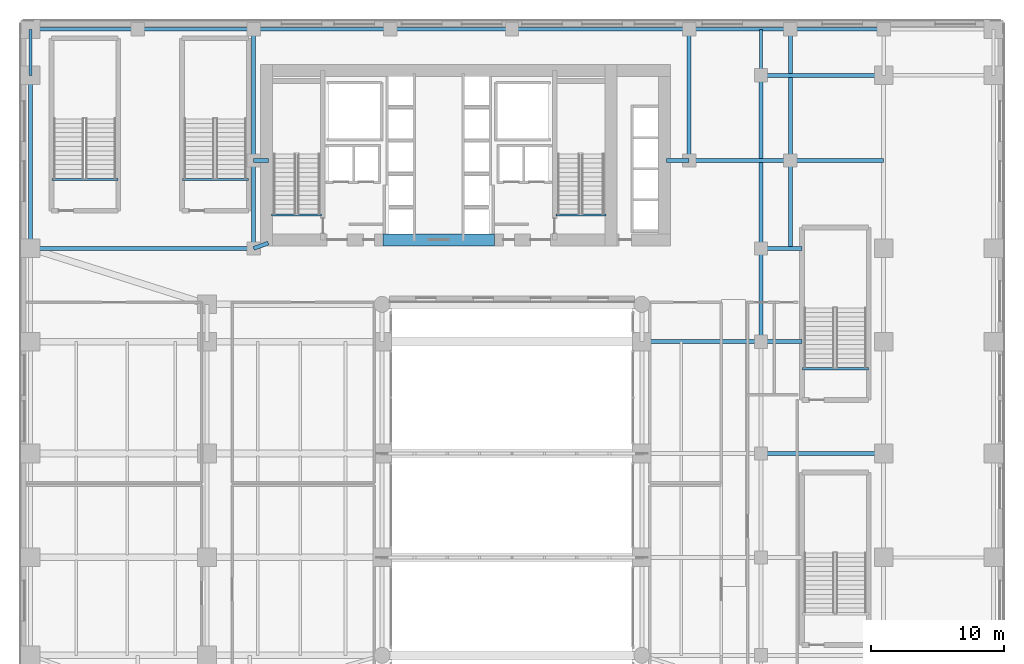
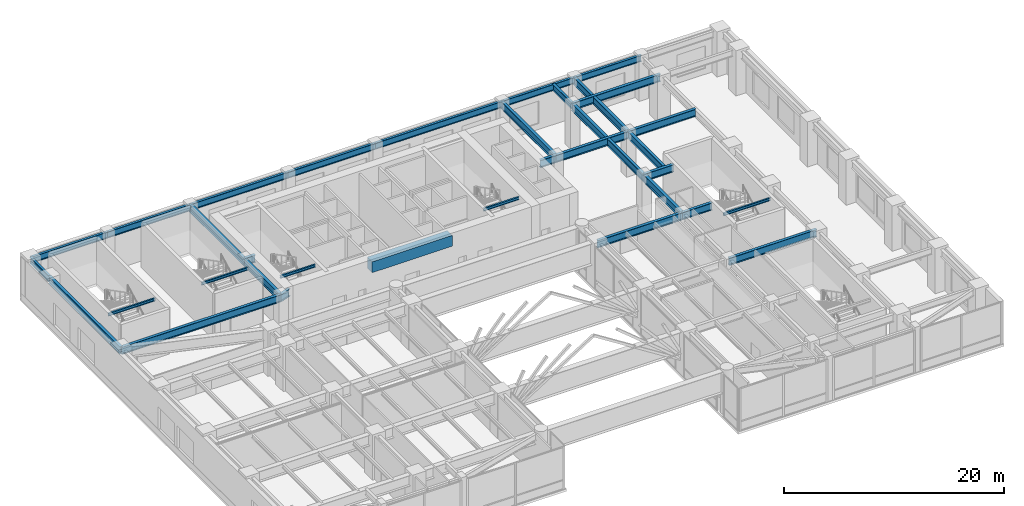
# One storey, part 23 of 39: 34 beams.
"""IFC4 building model written with IfcOpenShell, lengths in metres."""

from ifc_helpers import new_model, si_unit, direction, frame, origin, origin_2d, place, context, subcontext, project, spatial, rectangle, i_section, extrude, source, transform, mapped, material, material_profile, profile_set, type_object, type_shapes, element, save


model = new_model("IFC4")

# Units and contexts
model_context = context("Model", 3, precision=1e-05, world=origin(), true_north=direction((0.0, 1.0)))
body_context = subcontext(model_context, "Body", "Model", "MODEL_VIEW")
ifc_project = project(units=[si_unit("LENGTHUNIT", "METRE"), si_unit("AREAUNIT", "SQUARE_METRE"), si_unit("VOLUMEUNIT", "CUBIC_METRE"), si_unit("PLANEANGLEUNIT", "RADIAN"), si_unit("MASSUNIT", "GRAM", prefix="KILO")], contexts=[model_context])

# Site, building, storey
site_placement = place(None, origin())
site = spatial("IfcSite", under=ifc_project, at=site_placement, CompositionType="ELEMENT")
building_placement = place(site_placement, origin())
building = spatial("IfcBuilding", under=site, at=building_placement, Name="Tolvann Quenvar Hotel", CompositionType="ELEMENT")
storey_placement = place(building_placement, frame((0.0, 0.0, 11.0)))
storey = spatial("IfcBuildingStorey", under=building, at=storey_placement, Name="L02", CompositionType="ELEMENT", Elevation=11.0)

# Beams
ifc_material_1 = material(Name="Concrete S80 (80 MPa)", Category="concrete")
ifc_material_profile_1 = material_profile(ifc_material_1, rectangle(XDim=0.89990234375, YDim=1.199951171875, at=origin_2d()), Name="RC900x1200")
ifc_profile_set_1 = profile_set([ifc_material_profile_1], Name="Concrete S80 (80 MPa)")
beam_type_1 = type_object("IfcBeamType", Name="BM_LINT_RC900x1200", PredefinedType="LINTEL", material=ifc_profile_set_1)
shared_shape_1 = source(origin(), body_context, "Body", "SweptSolid", [
    extrude(rectangle(XDim=0.89990234375, YDim=1.199951171875, at=origin_2d()), origin(), (0.0, 0.0, 1.0), 8.39990234375),
])
type_shapes(beam_type_1, [shared_shape_1])
beam_1_placement = place(storey_placement, frame((18.800048828125, 32.050048828125, 4.139892578125), z_axis=(1.0, 0.0, 0.0), x_axis=(0.0, 1.0, 0.0)))
element("IfcBeam", 1, at=beam_1_placement, inside=storey, type_object=beam_type_1, Name="Core Coupling Lintel Beam (L02)", PredefinedType="LINTEL", context=body_context, shape_type="MappedRepresentation", body=[
    mapped(shared_shape_1, transform((0.0, 0.0, 0.0), x_axis=(1.0, 0.0, 0.0), y_axis=(0.0, 1.0, 0.0), z_axis=(0.0, 0.0, 1.0), scale=1.0)),
])
ifc_material_2 = material(Name="Steel Grade 350", Category="steel")
ifc_material_profile_2 = material_profile(ifc_material_2, i_section(OverallWidth=0.300048828125, OverallDepth=0.81591796875, WebThickness=0.010009765625, FlangeThickness=0.028076171875, at=origin_2d()), Name="800WB192")
ifc_profile_set_2 = profile_set([ifc_material_profile_2], Name="Steel Grade 350")
beam_type_2 = type_object("IfcBeamType", Name="BM_GIRD_800WB192", PredefinedType="BEAM", material=ifc_profile_set_2)
shared_shape_2 = source(origin(), body_context, "Body", "SweptSolid", [
    extrude(i_section(OverallWidth=0.300048828125, OverallDepth=0.81591796875, WebThickness=0.010009765625, FlangeThickness=0.028076171875, at=origin_2d()), origin(), (0.0, 0.0, 1.0), 8.949951171875),
])
beam_2_placement = place(storey_placement, frame((38.25, 24.39990234375, 4.33203125), z_axis=(1.0, 0.0, 0.0), x_axis=(0.0, 1.0, 0.0)))
element("IfcBeam", 2, at=beam_2_placement, inside=storey, type_object=beam_type_2, Name="BM-L02-GE1-4", PredefinedType="BEAM", context=body_context, shape_type="MappedRepresentation", body=[
    mapped(shared_shape_2, transform((0.0, 0.0, 0.0), x_axis=(1.0, 0.0, 0.0), y_axis=(0.0, 1.0, 0.0), z_axis=(0.0, 0.0, 1.0), scale=1.0)),
])
shared_shape_3 = source(origin(), body_context, "Body", "SweptSolid", [
    extrude(i_section(OverallWidth=0.300048828125, OverallDepth=0.81591796875, WebThickness=0.010009765625, FlangeThickness=0.028076171875, at=origin_2d()), origin(), (0.0, 0.0, 1.0), 9.199951171875),
])
for number, where, z_axis, x_axis, name in (
    (3, (47.199951171875, 16.0, 4.33203125), (1.0, 0.0, 0.0), (0.0, 1.0, 0.0), "BM-L02-GE2-3"),
    (4, (47.199951171875, 44.39990234375, 4.33203125), (1.0, 0.0, 0.0), (0.0, 1.0, 0.0), "BM-L02-GE2-6"),
):
    element("IfcBeam", number, at=place(storey_placement, frame(where, z_axis=z_axis, x_axis=x_axis)), inside=storey, type_object=beam_type_2, Name=name, PredefinedType="BEAM", context=body_context, shape_type="MappedRepresentation", body=[
        mapped(shared_shape_3, transform((0.0, 0.0, 0.0), x_axis=(1.0, 0.0, 0.0), y_axis=(0.0, 1.0, 0.0), z_axis=(0.0, 0.0, 1.0), scale=1.0)),
    ])
shared_shape_4 = source(origin(), body_context, "Body", "SweptSolid", [
    extrude(i_section(OverallWidth=0.300048828125, OverallDepth=0.81591796875, WebThickness=0.010009765625, FlangeThickness=0.028076171875, at=origin_2d()), origin(), (0.0, 0.0, 1.0), 7.0),
])
for number, where, z_axis, x_axis, name in (
    (5, (47.199951171875, 24.39990234375, 4.33203125), (0.0, 1.0, 0.0), (-1.0, 0.0, 0.0), "BM-L02-NS-H-3"),
    (6, (49.39990234375, 38.0, 4.33203125), (1.0, 0.0, 0.0), (0.0, 1.0, 0.0), "BM-L02-EW-PIN3"),
):
    element("IfcBeam", number, at=place(storey_placement, frame(where, z_axis=z_axis, x_axis=x_axis)), inside=storey, type_object=beam_type_2, Name=name, PredefinedType="BEAM", context=body_context, shape_type="MappedRepresentation", body=[
        mapped(shared_shape_4, transform((0.0, 0.0, 0.0), x_axis=(1.0, 0.0, 0.0), y_axis=(0.0, 1.0, 0.0), z_axis=(0.0, 0.0, 1.0), scale=1.0)),
    ])
shared_shape_5 = source(origin(), body_context, "Body", "SweptSolid", [
    extrude(i_section(OverallWidth=0.300048828125, OverallDepth=0.81591796875, WebThickness=0.010009765625, FlangeThickness=0.028076171875, at=origin_2d()), origin(), (0.0, 0.0, 1.0), 13.0),
])
for number, where, z_axis, x_axis, name in (
    (7, (-7.64990234375, 31.39990234375, 4.33203125), (0.0, 1.0, 0.0), (-1.0, 0.0, 0.0), "BM-L02-NS-A-4"),
    (8, (47.199951171875, 31.39990234375, 4.33203125), (0.0, 1.0, 0.0), (-1.0, 0.0, 0.0), "BM-L02-NS-H-4"),
):
    element("IfcBeam", number, at=place(storey_placement, frame(where, z_axis=z_axis, x_axis=x_axis)), inside=storey, type_object=beam_type_2, Name=name, PredefinedType="BEAM", context=body_context, shape_type="MappedRepresentation", body=[
        mapped(shared_shape_5, transform((0.0, 0.0, 0.0), x_axis=(1.0, 0.0, 0.0), y_axis=(0.0, 1.0, 0.0), z_axis=(0.0, 0.0, 1.0), scale=1.0)),
    ])
ifc_material_profile_3 = material_profile(ifc_material_2, i_section(OverallWidth=0.25, OverallDepth=0.699951171875, WebThickness=0.010009765625, FlangeThickness=0.02392578125, at=origin_2d()), Name="700WB150")
ifc_profile_set_3 = profile_set([ifc_material_profile_3], Name="Steel Grade 350")
beam_type_3 = type_object("IfcBeamType", Name="BM_GIRD_700WB150", PredefinedType="BEAM", material=ifc_profile_set_3)
shared_shape_6 = source(origin(), body_context, "Body", "SweptSolid", [
    extrude(i_section(OverallWidth=0.25, OverallDepth=0.699951171875, WebThickness=0.010009765625, FlangeThickness=0.02392578125, at=origin_2d()), origin(), (0.0, 0.0, 1.0), 3.4501953125),
])
for number, where, z_axis, x_axis, name in (
    (9, (-7.64990234375, 44.39990234375, 4.389892578125), (0.0, 1.0, 0.0), (-1.0, 0.0, 0.0), "BM-L02-NSN-A"),
    (10, (47.199951171875, 44.39990234375, 4.389892578125), (0.0, 1.0, 0.0), (-1.0, 0.0, 0.0), "BM-L02-NSN-H"),
):
    element("IfcBeam", number, at=place(storey_placement, frame(where, z_axis=z_axis, x_axis=x_axis)), inside=storey, type_object=beam_type_3, Name=name, PredefinedType="BEAM", context=body_context, shape_type="MappedRepresentation", body=[
        mapped(shared_shape_6, transform((0.0, 0.0, 0.0), x_axis=(1.0, 0.0, 0.0), y_axis=(0.0, 1.0, 0.0), z_axis=(0.0, 0.0, 1.0), scale=1.0)),
    ])
shared_shape_7 = source(origin(), body_context, "Body", "SweptSolid", [
    extrude(i_section(OverallWidth=0.25, OverallDepth=0.699951171875, WebThickness=0.010009765625, FlangeThickness=0.02392578125, at=origin_2d()), origin(), (0.0, 0.0, 1.0), 8.0498046875),
])
beam_3_placement = place(storey_placement, frame((-7.64990234375, 47.85009765625, 4.389892578125), z_axis=(1.0, 0.0, 0.0), x_axis=(0.0, 1.0, 0.0)))
element("IfcBeam", 11, at=beam_3_placement, inside=storey, type_object=beam_type_3, Name="BM-L02-EWN-0", PredefinedType="BEAM", context=body_context, shape_type="MappedRepresentation", body=[
    mapped(shared_shape_7, transform((0.0, 0.0, 0.0), x_axis=(1.0, 0.0, 0.0), y_axis=(0.0, 1.0, 0.0), z_axis=(0.0, 0.0, 1.0), scale=1.0)),
])
shared_shape_8 = source(origin(), body_context, "Body", "SweptSolid", [
    extrude(i_section(OverallWidth=0.25, OverallDepth=0.699951171875, WebThickness=0.010009765625, FlangeThickness=0.02392578125, at=origin_2d()), origin(), (0.0, 0.0, 1.0), 8.7001953125),
])
beam_4_placement = place(storey_placement, frame((0.39990234375, 47.85009765625, 4.389892578125), z_axis=(1.0, 0.0, 0.0), x_axis=(0.0, 1.0, 0.0)))
element("IfcBeam", 12, at=beam_4_placement, inside=storey, type_object=beam_type_3, Name="BM-L02-EWN-1", PredefinedType="BEAM", context=body_context, shape_type="MappedRepresentation", body=[
    mapped(shared_shape_8, transform((0.0, 0.0, 0.0), x_axis=(1.0, 0.0, 0.0), y_axis=(0.0, 1.0, 0.0), z_axis=(0.0, 0.0, 1.0), scale=1.0)),
])
shared_shape_9 = source(origin(), body_context, "Body", "SweptSolid", [
    extrude(i_section(OverallWidth=0.25, OverallDepth=0.699951171875, WebThickness=0.010009765625, FlangeThickness=0.02392578125, at=origin_2d()), origin(), (0.0, 0.0, 1.0), 10.25),
])
beam_5_placement = place(storey_placement, frame((9.10009765625, 47.85009765625, 4.389892578125), z_axis=(1.0, 0.0, 0.0), x_axis=(0.0, 1.0, 0.0)))
element("IfcBeam", 13, at=beam_5_placement, inside=storey, type_object=beam_type_3, Name="BM-L02-EWN-2", PredefinedType="BEAM", context=body_context, shape_type="MappedRepresentation", body=[
    mapped(shared_shape_9, transform((0.0, 0.0, 0.0), x_axis=(1.0, 0.0, 0.0), y_axis=(0.0, 1.0, 0.0), z_axis=(0.0, 0.0, 1.0), scale=1.0)),
])
shared_shape_10 = source(origin(), body_context, "Body", "SweptSolid", [
    extrude(i_section(OverallWidth=0.25, OverallDepth=0.699951171875, WebThickness=0.010009765625, FlangeThickness=0.02392578125, at=origin_2d()), origin(), (0.0, 0.0, 1.0), 9.14990234375),
])
beam_6_placement = place(storey_placement, frame((19.35009765625, 47.85009765625, 4.389892578125), z_axis=(1.0, 0.0, 0.0), x_axis=(0.0, 1.0, 0.0)))
element("IfcBeam", 14, at=beam_6_placement, inside=storey, type_object=beam_type_3, Name="BM-L02-EWN-3", PredefinedType="BEAM", context=body_context, shape_type="MappedRepresentation", body=[
    mapped(shared_shape_10, transform((0.0, 0.0, 0.0), x_axis=(1.0, 0.0, 0.0), y_axis=(0.0, 1.0, 0.0), z_axis=(0.0, 0.0, 1.0), scale=1.0)),
])
shared_shape_11 = source(origin(), body_context, "Body", "SweptSolid", [
    extrude(i_section(OverallWidth=0.25, OverallDepth=0.699951171875, WebThickness=0.010009765625, FlangeThickness=0.02392578125, at=origin_2d()), origin(), (0.0, 0.0, 1.0), 13.300048828125),
])
beam_7_placement = place(storey_placement, frame((28.5, 47.85009765625, 4.389892578125), z_axis=(1.0, 0.0, 0.0), x_axis=(0.0, 1.0, 0.0)))
element("IfcBeam", 15, at=beam_7_placement, inside=storey, type_object=beam_type_3, Name="BM-L02-EWN-4", PredefinedType="BEAM", context=body_context, shape_type="MappedRepresentation", body=[
    mapped(shared_shape_11, transform((0.0, 0.0, 0.0), x_axis=(1.0, 0.0, 0.0), y_axis=(0.0, 1.0, 0.0), z_axis=(0.0, 0.0, 1.0), scale=1.0)),
])
shared_shape_12 = source(origin(), body_context, "Body", "SweptSolid", [
    extrude(i_section(OverallWidth=0.25, OverallDepth=0.699951171875, WebThickness=0.010009765625, FlangeThickness=0.02392578125, at=origin_2d()), origin(), (0.0, 0.0, 1.0), 7.599853515625),
])
beam_8_placement = place(storey_placement, frame((41.800048828125, 47.85009765625, 4.389892578125), z_axis=(1.0, 0.0, 0.0), x_axis=(0.0, 1.0, 0.0)))
element("IfcBeam", 16, at=beam_8_placement, inside=storey, type_object=beam_type_3, Name="BM-L02-EWN-5", PredefinedType="BEAM", context=body_context, shape_type="MappedRepresentation", body=[
    mapped(shared_shape_12, transform((0.0, 0.0, 0.0), x_axis=(1.0, 0.0, 0.0), y_axis=(0.0, 1.0, 0.0), z_axis=(0.0, 0.0, 1.0), scale=1.0)),
])
shared_shape_13 = source(origin(), body_context, "Body", "SweptSolid", [
    extrude(i_section(OverallWidth=0.25, OverallDepth=0.699951171875, WebThickness=0.010009765625, FlangeThickness=0.02392578125, at=origin_2d()), origin(), (0.0, 0.0, 1.0), 7.0),
])
type_shapes(beam_type_3, [shared_shape_6, shared_shape_7, shared_shape_8, shared_shape_9, shared_shape_10, shared_shape_11, shared_shape_12, shared_shape_13])
beam_9_placement = place(storey_placement, frame((49.39990234375, 47.85009765625, 4.389892578125), z_axis=(1.0, 0.0, 0.0), x_axis=(0.0, 1.0, 0.0)))
element("IfcBeam", 17, at=beam_9_placement, inside=storey, type_object=beam_type_3, Name="BM-L02-EWN-6", PredefinedType="BEAM", context=body_context, shape_type="MappedRepresentation", body=[
    mapped(shared_shape_13, transform((0.0, 0.0, 0.0), x_axis=(1.0, 0.0, 0.0), y_axis=(0.0, 1.0, 0.0), z_axis=(0.0, 0.0, 1.0), scale=1.0)),
])
shared_shape_14 = source(origin(), body_context, "Body", "SweptSolid", [
    extrude(i_section(OverallWidth=0.300048828125, OverallDepth=0.81591796875, WebThickness=0.010009765625, FlangeThickness=0.028076171875, at=origin_2d()), origin(), (0.0, 0.0, 1.0), 16.75),
])
beam_10_placement = place(storey_placement, frame((-7.64990234375, 31.39990234375, 4.33203125), z_axis=(1.0, 0.0, 0.0), x_axis=(0.0, 1.0, 0.0)))
element("IfcBeam", 18, at=beam_10_placement, inside=storey, type_object=beam_type_2, Name="BM-L02-EW-PCNS", PredefinedType="BEAM", context=body_context, shape_type="MappedRepresentation", body=[
    mapped(shared_shape_14, transform((0.0, 0.0, 0.0), x_axis=(1.0, 0.0, 0.0), y_axis=(0.0, 1.0, 0.0), z_axis=(0.0, 0.0, 1.0), scale=1.0)),
])
shared_shape_15 = source(origin(), body_context, "Body", "SweptSolid", [
    extrude(i_section(OverallWidth=0.300048828125, OverallDepth=0.81591796875, WebThickness=0.010009765625, FlangeThickness=0.028076171875, at=origin_2d()), origin(), (0.0, 0.0, 1.0), 1.17041015625),
])
beam_11_placement = place(storey_placement, frame((9.10009765625, 31.39990234375, 4.33203125), z_axis=(0.939738597058, 0.34189379813, 0.0), x_axis=(-0.34189379813, 0.939738597058, 0.0)))
element("IfcBeam", 19, at=beam_11_placement, inside=storey, type_object=beam_type_2, Name="BM-L02-EW-PCNS2", PredefinedType="BEAM", context=body_context, shape_type="MappedRepresentation", body=[
    mapped(shared_shape_15, transform((0.0, 0.0, 0.0), x_axis=(1.0, 0.0, 0.0), y_axis=(0.0, 1.0, 0.0), z_axis=(0.0, 0.0, 1.0), scale=1.0)),
])
shared_shape_16 = source(origin(), body_context, "Body", "SweptSolid", [
    extrude(i_section(OverallWidth=0.300048828125, OverallDepth=0.81591796875, WebThickness=0.010009765625, FlangeThickness=0.028076171875, at=origin_2d()), origin(), (0.0, 0.0, 1.0), 6.60009765625),
])
for number, where, z_axis, x_axis, name in (
    (20, (9.10009765625, 31.39990234375, 4.33203125), (0.0, 1.0, 0.0), (-1.0, 0.0, 0.0), "BM-L02-NSB-PCN1"),
    (21, (49.39990234375, 31.39990234375, 4.33203125), (0.0, 1.0, 0.0), (-1.0, 0.0, 0.0), "BM-L02-NSB-PIN1"),
):
    element("IfcBeam", number, at=place(storey_placement, frame(where, z_axis=z_axis, x_axis=x_axis)), inside=storey, type_object=beam_type_2, Name=name, PredefinedType="BEAM", context=body_context, shape_type="MappedRepresentation", body=[
        mapped(shared_shape_16, transform((0.0, 0.0, 0.0), x_axis=(1.0, 0.0, 0.0), y_axis=(0.0, 1.0, 0.0), z_axis=(0.0, 0.0, 1.0), scale=1.0)),
    ])
shared_shape_17 = source(origin(), body_context, "Body", "SweptSolid", [
    extrude(i_section(OverallWidth=0.300048828125, OverallDepth=0.81591796875, WebThickness=0.010009765625, FlangeThickness=0.028076171875, at=origin_2d()), origin(), (0.0, 0.0, 1.0), 9.85009765625),
])
for number, where, z_axis, x_axis, name in (
    (22, (9.10009765625, 38.0, 4.33203125), (0.0, 1.0, 0.0), (-1.0, 0.0, 0.0), "BM-L02-NSB-PCN2"),
    (23, (41.800048828125, 38.0, 4.33203125), (0.0, 1.0, 0.0), (-1.0, 0.0, 0.0), "BM-L02-NSB-PHN2"),
    (24, (49.39990234375, 38.0, 4.33203125), (0.0, 1.0, 0.0), (-1.0, 0.0, 0.0), "BM-L02-NSB-PIN2"),
):
    element("IfcBeam", number, at=place(storey_placement, frame(where, z_axis=z_axis, x_axis=x_axis)), inside=storey, type_object=beam_type_2, Name=name, PredefinedType="BEAM", context=body_context, shape_type="MappedRepresentation", body=[
        mapped(shared_shape_17, transform((0.0, 0.0, 0.0), x_axis=(1.0, 0.0, 0.0), y_axis=(0.0, 1.0, 0.0), z_axis=(0.0, 0.0, 1.0), scale=1.0)),
    ])
shared_shape_18 = source(origin(), body_context, "Body", "SweptSolid", [
    extrude(i_section(OverallWidth=0.300048828125, OverallDepth=0.81591796875, WebThickness=0.010009765625, FlangeThickness=0.028076171875, at=origin_2d()), origin(), (0.0, 0.0, 1.0), 1.099853515625),
])
beam_12_placement = place(storey_placement, frame((9.10009765625, 38.0, 4.33203125), z_axis=(1.0, 0.0, 0.0), x_axis=(0.0, 1.0, 0.0)))
element("IfcBeam", 25, at=beam_12_placement, inside=storey, type_object=beam_type_2, Name="BM-L02-EW-PCN", PredefinedType="BEAM", context=body_context, shape_type="MappedRepresentation", body=[
    mapped(shared_shape_18, transform((0.0, 0.0, 0.0), x_axis=(1.0, 0.0, 0.0), y_axis=(0.0, 1.0, 0.0), z_axis=(0.0, 0.0, 1.0), scale=1.0)),
])
shared_shape_19 = source(origin(), body_context, "Body", "SweptSolid", [
    extrude(i_section(OverallWidth=0.300048828125, OverallDepth=0.81591796875, WebThickness=0.010009765625, FlangeThickness=0.028076171875, at=origin_2d()), origin(), (0.0, 0.0, 1.0), 1.699951171875),
])
beam_13_placement = place(storey_placement, frame((40.10009765625, 38.0, 4.33203125), z_axis=(1.0, 0.0, 0.0), x_axis=(0.0, 1.0, 0.0)))
element("IfcBeam", 26, at=beam_13_placement, inside=storey, type_object=beam_type_2, Name="BM-L02-EW-PHN1", PredefinedType="BEAM", context=body_context, shape_type="MappedRepresentation", body=[
    mapped(shared_shape_19, transform((0.0, 0.0, 0.0), x_axis=(1.0, 0.0, 0.0), y_axis=(0.0, 1.0, 0.0), z_axis=(0.0, 0.0, 1.0), scale=1.0)),
])
shared_shape_20 = source(origin(), body_context, "Body", "SweptSolid", [
    extrude(i_section(OverallWidth=0.300048828125, OverallDepth=0.81591796875, WebThickness=0.010009765625, FlangeThickness=0.028076171875, at=origin_2d()), origin(), (0.0, 0.0, 1.0), 3.074951171875),
])
for number, where, z_axis, x_axis, name in (
    (27, (47.199951171875, 24.39990234375, 4.33203125), (1.0, 0.0, 0.0), (0.0, 1.0, 0.0), "BM-L02-GE2-4"),
    (28, (47.199951171875, 31.39990234375, 4.33203125), (1.0, 0.0, 0.0), (0.0, 1.0, 0.0), "BM-L02-GE2-5"),
):
    element("IfcBeam", number, at=place(storey_placement, frame(where, z_axis=z_axis, x_axis=x_axis)), inside=storey, type_object=beam_type_2, Name=name, PredefinedType="BEAM", context=body_context, shape_type="MappedRepresentation", body=[
        mapped(shared_shape_20, transform((0.0, 0.0, 0.0), x_axis=(1.0, 0.0, 0.0), y_axis=(0.0, 1.0, 0.0), z_axis=(0.0, 0.0, 1.0), scale=1.0)),
    ])
shared_shape_21 = source(origin(), body_context, "Body", "SweptSolid", [
    extrude(i_section(OverallWidth=0.300048828125, OverallDepth=0.81591796875, WebThickness=0.010009765625, FlangeThickness=0.028076171875, at=origin_2d()), origin(), (0.0, 0.0, 1.0), 7.599853515625),
])
type_shapes(beam_type_2, [shared_shape_2, shared_shape_3, shared_shape_4, shared_shape_5, shared_shape_14, shared_shape_15, shared_shape_16, shared_shape_17, shared_shape_18, shared_shape_19, shared_shape_20, shared_shape_21])
beam_14_placement = place(storey_placement, frame((41.800048828125, 38.0, 4.33203125), z_axis=(1.0, 0.0, 0.0), x_axis=(0.0, 1.0, 0.0)))
element("IfcBeam", 29, at=beam_14_placement, inside=storey, type_object=beam_type_2, Name="BM-L02-EW-PHN2", PredefinedType="BEAM", context=body_context, shape_type="MappedRepresentation", body=[
    mapped(shared_shape_21, transform((0.0, 0.0, 0.0), x_axis=(1.0, 0.0, 0.0), y_axis=(0.0, 1.0, 0.0), z_axis=(0.0, 0.0, 1.0), scale=1.0)),
])
ifc_material_profile_4 = material_profile(ifc_material_2, i_section(OverallWidth=0.166015625, OverallDepth=0.306884765625, WebThickness=0.006591796875, FlangeThickness=0.01171875, FilletRadius=0.011474609375, at=origin_2d()), Name="310UB46")
ifc_profile_set_4 = profile_set([ifc_material_profile_4], Name="Steel Grade 350")
beam_type_4 = type_object("IfcBeamType", Name="BM_JOIST_310UB46", PredefinedType="JOIST", material=ifc_profile_set_4)
shared_shape_22 = source(origin(), body_context, "Body", "SweptSolid", [
    extrude(i_section(OverallWidth=0.166015625, OverallDepth=0.306884765625, WebThickness=0.006591796875, FlangeThickness=0.01171875, FilletRadius=0.011474609375, at=origin_2d()), origin(), (0.0, 0.0, 1.0), 3.75),
])
for number, where, z_axis, x_axis, name in (
    (30, (10.449951171875, 33.9150390625, 4.58642578125), (1.0, 0.0, 0.0), (0.0, 1.0, 0.0), "BM-HDR-ST-C1-L03"),
    (31, (31.800048828125, 33.9150390625, 4.58642578125), (1.0, 0.0, 0.0), (0.0, 1.0, 0.0), "BM-HDR-ST-C2-L03"),
):
    element("IfcBeam", number, at=place(storey_placement, frame(where, z_axis=z_axis, x_axis=x_axis)), inside=storey, type_object=beam_type_4, Name=name, PredefinedType="JOIST", context=body_context, shape_type="MappedRepresentation", body=[
        mapped(shared_shape_22, transform((0.0, 0.0, 0.0), x_axis=(1.0, 0.0, 0.0), y_axis=(0.0, 1.0, 0.0), z_axis=(0.0, 0.0, 1.0), scale=1.0)),
    ])
shared_shape_23 = source(origin(), body_context, "Body", "SweptSolid", [
    extrude(i_section(OverallWidth=0.166015625, OverallDepth=0.306884765625, WebThickness=0.006591796875, FlangeThickness=0.01171875, FilletRadius=0.011474609375, at=origin_2d()), origin(), (0.0, 0.0, 1.0), 4.949951171875),
])
type_shapes(beam_type_4, [shared_shape_22, shared_shape_23])
for number, where, z_axis, x_axis, name in (
    (32, (-6.050048828125, 36.56494140625, 4.58642578125), (1.0, 0.0, 0.0), (0.0, 1.0, 0.0), "BM-HDR-ST-P1-L03"),
    (33, (3.75, 36.56494140625, 4.58642578125), (1.0, 0.0, 0.0), (0.0, 1.0, 0.0), "BM-HDR-ST-P2-L03"),
    (34, (50.300048828125, 22.364990234375, 4.58642578125), (1.0, 0.0, 0.0), (0.0, 1.0, 0.0), "BM-HDR-ST-P4-L03"),
):
    element("IfcBeam", number, at=place(storey_placement, frame(where, z_axis=z_axis, x_axis=x_axis)), inside=storey, type_object=beam_type_4, Name=name, PredefinedType="JOIST", context=body_context, shape_type="MappedRepresentation", body=[
        mapped(shared_shape_23, transform((0.0, 0.0, 0.0), x_axis=(1.0, 0.0, 0.0), y_axis=(0.0, 1.0, 0.0), z_axis=(0.0, 0.0, 1.0), scale=1.0)),
    ])

save(model, "model.ifc")
